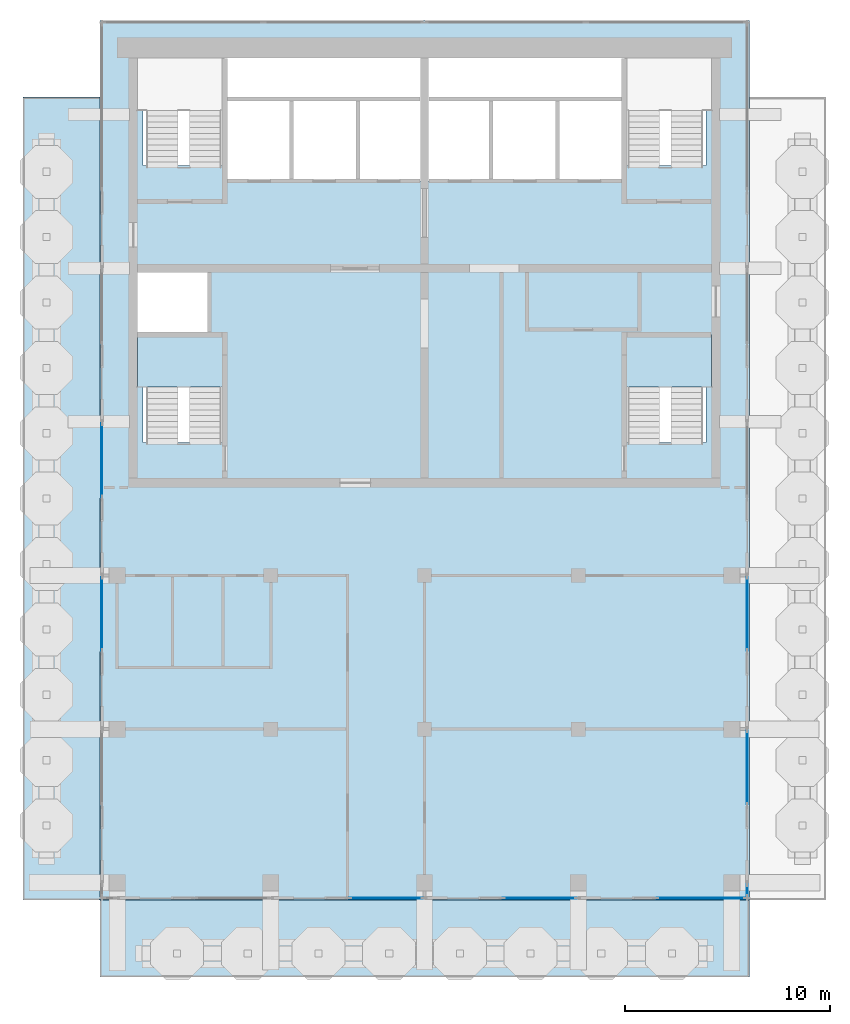
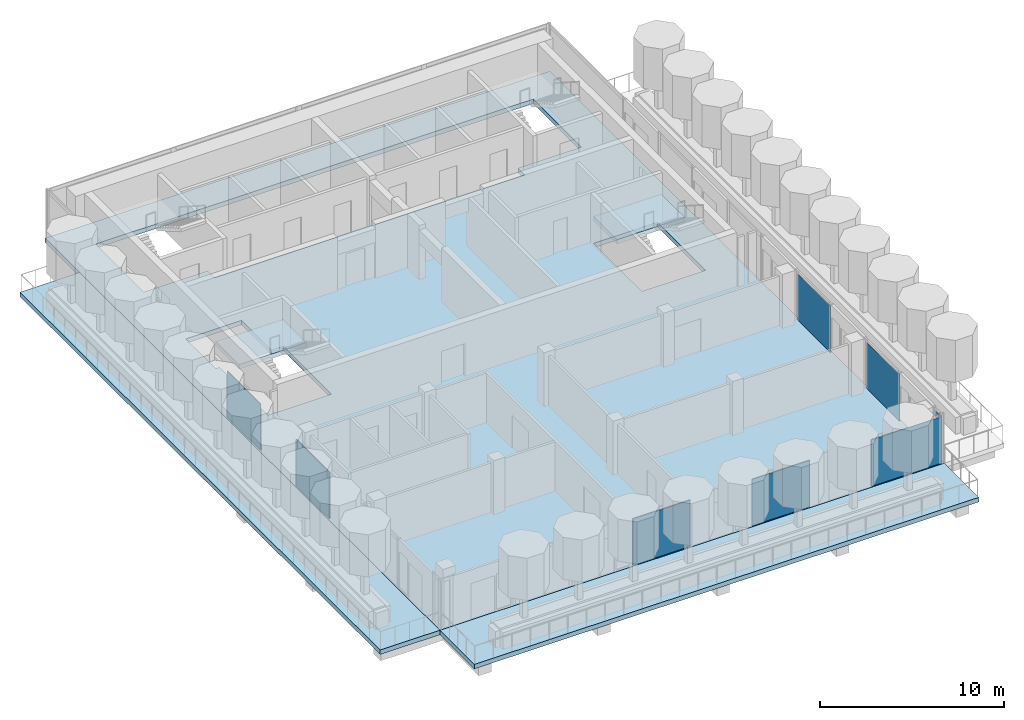
# One storey, part 3 of 10: 8 plates, 5 slabs, 10 elements without a shape of their own.
"""IFC4 building model written with IfcOpenShell, lengths in metres."""

from ifc_helpers import new_model, si_unit, direction, frame, origin, origin_2d, place, context, subcontext, project, spatial, polyline, rectangle, outline, extrude, material, layer, layer_set, type_object, element, aggregate, save


model = new_model("IFC4")

# Units and contexts
model_context = context("Model", 3, precision=1e-05, world=origin(), true_north=direction((0.0, 1.0)))
body_context = subcontext(model_context, "Body", "Model", "MODEL_VIEW")
ifc_project = project(units=[si_unit("LENGTHUNIT", "METRE"), si_unit("AREAUNIT", "SQUARE_METRE"), si_unit("VOLUMEUNIT", "CUBIC_METRE"), si_unit("PLANEANGLEUNIT", "RADIAN"), si_unit("MASSUNIT", "GRAM", prefix="KILO")], contexts=[model_context])

# Site, building, storey
site_placement = place(None, origin())
site = spatial("IfcSite", under=ifc_project, at=site_placement, CompositionType="ELEMENT")
building_placement = place(site_placement, origin())
building = spatial("IfcBuilding", under=site, at=building_placement, Name="Pilkhan Gate Tower", CompositionType="ELEMENT")
storey_placement = place(building_placement, frame((0.0, 0.0, 272.89990234375)))
storey = spatial("IfcBuildingStorey", under=building, at=storey_placement, Name="L71", CompositionType="ELEMENT", Elevation=272.89990234375)

# Slab
ifc_material_1 = material(Name="Concrete C40/50", Category="concrete")
ifc_layer_1 = layer(ifc_material_1, 0.300048828125)
ifc_layer_set_1 = layer_set([ifc_layer_1], Name="Flat plate slab FP300")
slab_type_1 = type_object("IfcSlabType", Name="Flat plate slab FP300", PredefinedType="FLOOR", material=ifc_layer_set_1)
slab_1_placement = place(storey_placement, frame((0.0, 0.0, -0.2998046875)))
element("IfcSlab", 1, at=slab_1_placement, inside=storey, type_object=slab_type_1, Name="Floor slab L71", PredefinedType="FLOOR", context=body_context, shape_type="SweptSolid", body=[
    extrude(outline(polyline([(59.14990234375, 94.60009765625), (90.85009765625, 94.60009765625), (90.85009765625, 51.64990234375), (59.14990234375, 51.64990234375), (59.14990234375, 94.60009765625)]), holes=[polyline([(78.25, 86.75), (81.5, 86.75), (84.75, 86.75), (84.75, 87.5), (88.75, 87.5), (88.75, 92.75), (84.75, 92.75), (75.0, 92.75), (65.25, 92.75), (61.25, 92.75), (61.25, 87.5), (65.25, 87.5), (65.25, 86.75), (68.5, 86.75), (71.75, 86.75), (75.0, 86.75), (78.25, 86.75)]), polyline([(84.75, 79.25), (84.75, 74.0), (88.75, 74.0), (88.75, 79.25), (84.75, 79.25)]), polyline([(65.25, 79.25), (64.5, 79.25), (64.5, 82.5), (61.25, 82.5), (61.0, 82.5), (61.0, 79.25), (61.25, 79.25), (61.25, 74.0), (65.25, 74.0), (65.25, 79.25)])]), origin(), (0.0, 0.0, 1.0), 0.2998046875),
])

# Curtain wall, plate
ifc_material_2 = material(Name="Pale anodised aluminium, clear low-iron double glazing", Category="aluminium")
curtain_wall_type = type_object("IfcCurtainWallType", Name="Crown unitised curtain wall CW-C", PredefinedType="USERDEFINED", material=ifc_material_2)
curtain_wall_1_placement = place(storey_placement, origin())
curtain_wall_1 = element("IfcCurtainWall", 2, at=curtain_wall_1_placement, inside=storey, type_object=curtain_wall_type, Name="Crown unitised curtain wall CW-C L71 E", ObjectType="UNITISED CURTAIN WALL", PredefinedType="USERDEFINED")
ifc_material_3 = material(Name="Clear low-iron double glazing", Category="glass")
ifc_layer_2 = layer(ifc_material_3, 0.0439453125)
ifc_layer_set_2 = layer_set([ifc_layer_2], Name="Glass panel CW-C 44")
plate_type = type_object("IfcPlateType", Name="Glass panel CW-C 44", PredefinedType="CURTAIN_PANEL", material=ifc_layer_set_2)
plate_1_placement = place(storey_placement, frame((90.75, 52.125, 0.0), z_axis=(0.0, 0.0, 1.0), x_axis=(0.0, 1.0, 0.0)))
plate_1 = element("IfcPlate", 3, at=plate_1_placement, type_object=plate_type, Name="CW-C panel 1", PredefinedType="CURTAIN_PANEL", context=body_context, shape_type="SweptSolid", body=[
    extrude(rectangle(XDim=0.60009765625, YDim=0.0439453125, at=origin_2d()), origin(), (0.0, 0.0, 1.0), 3.080078125),
])
aggregate(curtain_wall_1, [plate_1])

curtain_wall_2_placement = place(storey_placement, origin())
curtain_wall_2 = element("IfcCurtainWall", 4, at=curtain_wall_2_placement, inside=storey, type_object=curtain_wall_type, Name="Crown unitised curtain wall CW-C L71 E", ObjectType="UNITISED CURTAIN WALL", PredefinedType="USERDEFINED")
plate_2_placement = place(storey_placement, frame((90.75, 58.125, 0.0), z_axis=(0.0, 0.0, 1.0), x_axis=(0.0, 1.0, 0.0)))
plate_2 = element("IfcPlate", 5, at=plate_2_placement, type_object=plate_type, Name="CW-C panel 1", PredefinedType="CURTAIN_PANEL", context=body_context, shape_type="SweptSolid", body=[
    extrude(rectangle(XDim=3.60009765625, YDim=0.0439453125, at=origin_2d()), origin(), (0.0, 0.0, 1.0), 3.080078125),
])
aggregate(curtain_wall_2, [plate_2])

curtain_wall_3_placement = place(storey_placement, origin())
curtain_wall_3 = element("IfcCurtainWall", 6, at=curtain_wall_3_placement, inside=storey, type_object=curtain_wall_type, Name="Crown unitised curtain wall CW-C L71 E", ObjectType="UNITISED CURTAIN WALL", PredefinedType="USERDEFINED")
plate_3_placement = place(storey_placement, frame((90.75, 65.625, 0.0), z_axis=(0.0, 0.0, 1.0), x_axis=(0.0, 1.0, 0.0)))
plate_3 = element("IfcPlate", 7, at=plate_3_placement, type_object=plate_type, Name="CW-C panel 1", PredefinedType="CURTAIN_PANEL", context=body_context, shape_type="SweptSolid", body=[
    extrude(rectangle(XDim=3.60009765625, YDim=0.0439453125, at=origin_2d()), origin(), (0.0, 0.0, 1.0), 3.080078125),
])
aggregate(curtain_wall_3, [plate_3])

curtain_wall_4_placement = place(storey_placement, origin())
curtain_wall_4 = element("IfcCurtainWall", 8, at=curtain_wall_4_placement, inside=storey, type_object=curtain_wall_type, Name="Crown unitised curtain wall CW-C L71 W", ObjectType="UNITISED CURTAIN WALL", PredefinedType="USERDEFINED")
plate_4_placement = place(storey_placement, frame((59.25, 65.625, 0.0), z_axis=(0.0, 0.0, 1.0), x_axis=(0.0, 1.0, 0.0)))
plate_4 = element("IfcPlate", 9, at=plate_4_placement, type_object=plate_type, Name="CW-C panel 1", PredefinedType="CURTAIN_PANEL", context=body_context, shape_type="SweptSolid", body=[
    extrude(rectangle(XDim=3.60009765625, YDim=0.0439453125, at=origin_2d()), origin(), (0.0, 0.0, 1.0), 3.080078125),
])
aggregate(curtain_wall_4, [plate_4])

curtain_wall_5_placement = place(storey_placement, origin())
curtain_wall_5 = element("IfcCurtainWall", 10, at=curtain_wall_5_placement, inside=storey, type_object=curtain_wall_type, Name="Crown unitised curtain wall CW-C L71 W", ObjectType="UNITISED CURTAIN WALL", PredefinedType="USERDEFINED")
plate_5_placement = place(storey_placement, frame((59.25, 73.125, 0.0), z_axis=(0.0, 0.0, 1.0), x_axis=(0.0, 1.0, 0.0)))
plate_5 = element("IfcPlate", 11, at=plate_5_placement, type_object=plate_type, Name="CW-C panel 1", PredefinedType="CURTAIN_PANEL", context=body_context, shape_type="SweptSolid", body=[
    extrude(rectangle(XDim=3.60009765625, YDim=0.0439453125, at=origin_2d()), origin(), (0.0, 0.0, 1.0), 3.080078125),
])
aggregate(curtain_wall_5, [plate_5])

curtain_wall_6_placement = place(storey_placement, origin())
curtain_wall_6 = element("IfcCurtainWall", 12, at=curtain_wall_6_placement, inside=storey, type_object=curtain_wall_type, Name="Crown unitised curtain wall CW-C L71 S", ObjectType="UNITISED CURTAIN WALL", PredefinedType="USERDEFINED")
plate_6_placement = place(storey_placement, frame((73.125, 51.75, 0.0), z_axis=(0.0, 0.0, 1.0), x_axis=(1.0, 0.0, 0.0)))
plate_6 = element("IfcPlate", 13, at=plate_6_placement, type_object=plate_type, Name="CW-C panel 1", PredefinedType="CURTAIN_PANEL", context=body_context, shape_type="SweptSolid", body=[
    extrude(rectangle(XDim=3.60009765625, YDim=0.0439453125, at=origin_2d()), origin(), (0.0, 0.0, 1.0), 3.080078125),
])
aggregate(curtain_wall_6, [plate_6])

curtain_wall_7_placement = place(storey_placement, origin())
curtain_wall_7 = element("IfcCurtainWall", 14, at=curtain_wall_7_placement, inside=storey, type_object=curtain_wall_type, Name="Crown unitised curtain wall CW-C L71 S", ObjectType="UNITISED CURTAIN WALL", PredefinedType="USERDEFINED")
plate_7_placement = place(storey_placement, frame((80.625, 51.75, 0.0), z_axis=(0.0, 0.0, 1.0), x_axis=(1.0, 0.0, 0.0)))
plate_7 = element("IfcPlate", 15, at=plate_7_placement, type_object=plate_type, Name="CW-C panel 1", PredefinedType="CURTAIN_PANEL", context=body_context, shape_type="SweptSolid", body=[
    extrude(rectangle(XDim=3.60009765625, YDim=0.0439453125, at=origin_2d()), origin(), (0.0, 0.0, 1.0), 3.080078125),
])
aggregate(curtain_wall_7, [plate_7])

curtain_wall_8_placement = place(storey_placement, origin())
curtain_wall_8 = element("IfcCurtainWall", 16, at=curtain_wall_8_placement, inside=storey, type_object=curtain_wall_type, Name="Crown unitised curtain wall CW-C L71 S", ObjectType="UNITISED CURTAIN WALL", PredefinedType="USERDEFINED")
plate_8_placement = place(storey_placement, frame((88.5, 51.75, 0.0), z_axis=(0.0, 0.0, 1.0), x_axis=(1.0, 0.0, 0.0)))
plate_8 = element("IfcPlate", 17, at=plate_8_placement, type_object=plate_type, Name="CW-C panel 1", PredefinedType="CURTAIN_PANEL", context=body_context, shape_type="SweptSolid", body=[
    extrude(rectangle(XDim=4.35009765625, YDim=0.0439453125, at=origin_2d()), origin(), (0.0, 0.0, 1.0), 3.080078125),
])
aggregate(curtain_wall_8, [plate_8])

# Stair, slab
ifc_material_4 = material(Name="Concrete C40/50 precast", Category="concrete")
stair_type_1 = type_object("IfcStairType", Name="Stair ST1 164x280", PredefinedType="HALF_TURN_STAIR", material=ifc_material_4)
stair_1_placement = place(storey_placement, origin())
stair_1 = element("IfcStair", 18, at=stair_1_placement, inside=storey, type_object=stair_type_1, Name="Stair ST1 L71", PredefinedType="HALF_TURN_STAIR")
ifc_layer_3 = layer(ifc_material_1, 0.199951171875)
ifc_layer_set_3 = layer_set([ifc_layer_3], Name="Stair landing SL200")
slab_type_2 = type_object("IfcSlabType", Name="Stair landing SL200", PredefinedType="LANDING", material=ifc_layer_set_3)
slab_2_placement = place(storey_placement, frame((0.0, 0.0, 1.5)))
slab_2 = element("IfcSlab", 19, at=slab_2_placement, type_object=slab_type_2, Name="ST1 landing 1", PredefinedType="LANDING", context=body_context, shape_type="SweptSolid", body=[
    extrude(outline(polyline([(89.0, 76.699951171875), (89.0, 79.25), (84.75, 79.25), (84.75, 76.699951171875), (89.0, 76.699951171875)])), origin(), (0.0, 0.0, 1.0), 0.300048828125),
])
aggregate(stair_1, [slab_2])

stair_type_2 = type_object("IfcStairType", Name="Stair ST2 164x280", PredefinedType="HALF_TURN_STAIR", material=ifc_material_4)
stair_2_placement = place(storey_placement, origin())
stair_2 = element("IfcStair", 20, at=stair_2_placement, inside=storey, type_object=stair_type_2, Name="Stair ST2 L71", PredefinedType="HALF_TURN_STAIR")
slab_3_placement = place(storey_placement, frame((0.0, 0.0, 1.5)))
slab_3 = element("IfcSlab", 21, at=slab_3_placement, type_object=slab_type_2, Name="ST2 landing 1", PredefinedType="LANDING", context=body_context, shape_type="SweptSolid", body=[
    extrude(outline(polyline([(65.25, 76.699951171875), (65.25, 79.25), (61.0, 79.25), (61.0, 76.699951171875), (65.25, 76.699951171875)])), origin(), (0.0, 0.0, 1.0), 0.300048828125),
])
aggregate(stair_2, [slab_3])

# Slabs
ifc_material_5 = material(Name="Concrete C60/75", Category="concrete")
ifc_layer_4 = layer(ifc_material_5, 0.300048828125)
ifc_layer_set_4 = layer_set([ifc_layer_4], Name="Terrace slab TS300")
slab_type_3 = type_object("IfcSlabType", Name="Terrace slab TS300", PredefinedType="FLOOR", material=ifc_layer_set_4)
slab_4_placement = place(storey_placement, frame((0.0, 0.0, -0.2998046875)))
element("IfcSlab", 22, at=slab_4_placement, inside=storey, type_object=slab_type_3, Name="Terrace L71", PredefinedType="FLOOR", context=body_context, shape_type="SweptSolid", body=[
    extrude(outline(polyline([(59.14990234375, 47.89990234375), (59.14990234375, 51.64990234375), (90.85009765625, 51.64990234375), (90.85009765625, 47.89990234375), (59.14990234375, 47.89990234375)])), origin(), (0.0, 0.0, 1.0), 0.2998046875),
])
slab_5_placement = place(storey_placement, frame((0.0, 0.0, -0.2998046875)))
element("IfcSlab", 23, at=slab_5_placement, inside=storey, type_object=slab_type_3, Name="Terrace L71", PredefinedType="FLOOR", context=body_context, shape_type="SweptSolid", body=[
    extrude(outline(polyline([(55.39990234375, 90.85009765625), (59.14990234375, 90.85009765625), (59.14990234375, 51.64990234375), (55.39990234375, 51.64990234375), (55.39990234375, 90.85009765625)])), origin(), (0.0, 0.0, 1.0), 0.2998046875),
])

save(model, "model.ifc")
